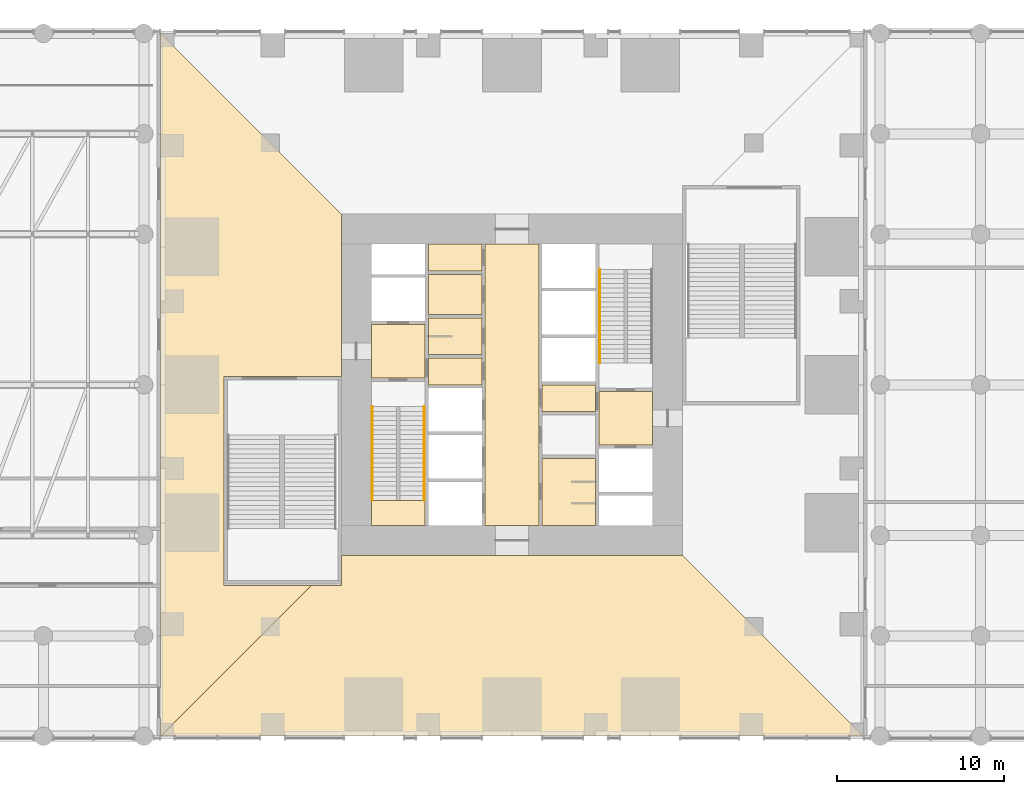
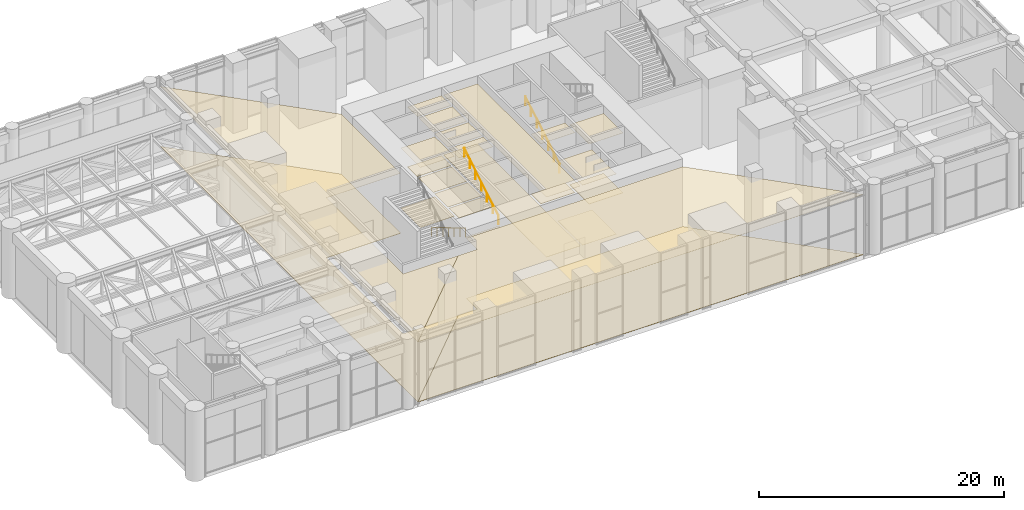
# One storey, part 28 of 30: 23 coverings, 3 railings.
"""IFC4 building model written with IfcOpenShell, lengths in metres."""

from ifc_helpers import new_model, si_unit, direction, frame, origin, origin_2d, place, context, subcontext, project, spatial, polyline, circle, outline, extrude, material, layer, layer_set, type_object, element, save


model = new_model("IFC4")

# Units and contexts
model_context = context("Model", 3, precision=1e-05, world=origin(), true_north=direction((0.0, 1.0)))
body_context = subcontext(model_context, "Body", "Model", "MODEL_VIEW")
ifc_project = project(units=[si_unit("LENGTHUNIT", "METRE"), si_unit("AREAUNIT", "SQUARE_METRE"), si_unit("VOLUMEUNIT", "CUBIC_METRE"), si_unit("PLANEANGLEUNIT", "RADIAN"), si_unit("MASSUNIT", "GRAM", prefix="KILO")], contexts=[model_context])

# Site, building, storey
site_placement = place(None, origin())
site = spatial("IfcSite", under=ifc_project, at=site_placement, CompositionType="ELEMENT")
building_placement = place(site_placement, origin())
building = spatial("IfcBuilding", under=site, at=building_placement, Name="Svetlomir Tower", CompositionType="ELEMENT")
storey_placement = place(building_placement, frame((0.0, 0.0, 11.0)))
storey = spatial("IfcBuildingStorey", under=building, at=storey_placement, Name="L02", CompositionType="ELEMENT", Elevation=11.0)

# Coverings
ifc_material_1 = material(Name="Ceramic floor tile", Category="ceramic")
ifc_layer_1 = layer(ifc_material_1, 0.014892578125)
ifc_layer_set_1 = layer_set([ifc_layer_1], Name="Ceramic floor tile")
covering_type_1 = type_object("IfcCoveringType", Name="CERAMIC TILE FLOOR 15", PredefinedType="FLOORING", material=ifc_layer_set_1)
covering_1_placement = place(storey_placement, origin())
element("IfcCovering", 1, at=covering_1_placement, inside=storey, type_object=covering_type_1, Name="Floor finish L02-04", PredefinedType="FLOORING", context=body_context, shape_type="SweptSolid", body=[
    extrude(outline(polyline([(16.0, 22.800048828125), (19.199951171875, 22.800048828125), (19.199951171875, 25.0), (16.0, 25.0), (16.0, 22.800048828125)])), origin(), (0.0, 0.0, 1.0), 0.014892578125),
])
covering_2_placement = place(storey_placement, origin())
element("IfcCovering", 2, at=covering_2_placement, inside=storey, type_object=covering_type_1, Name="Floor finish L02-05", PredefinedType="FLOORING", context=body_context, shape_type="SweptSolid", body=[
    extrude(outline(polyline([(16.0, 25.199951171875), (19.199951171875, 25.199951171875), (19.199951171875, 27.60009765625), (16.0, 27.60009765625), (16.0, 25.199951171875)])), origin(), (0.0, 0.0, 1.0), 0.014892578125),
])
covering_3_placement = place(storey_placement, origin())
element("IfcCovering", 3, at=covering_3_placement, inside=storey, type_object=covering_type_1, Name="Floor finish L02-08", PredefinedType="FLOORING", context=body_context, shape_type="SweptSolid", body=[
    extrude(outline(polyline([(22.800048828125, 12.60009765625), (26.0, 12.60009765625), (26.0, 16.60009765625), (22.800048828125, 16.60009765625), (22.800048828125, 12.60009765625)])), origin(), (0.0, 0.0, 1.0), 0.014892578125),
])

# Railings
ifc_material_2 = material(Name="Stainless steel", Category="steel")
railing_type = type_object("IfcRailingType", Name="HANDRAIL HR1 900", PredefinedType="HANDRAIL", material=ifc_material_2)
railing_placement = place(storey_placement, frame((12.64990234375, 19.699951171875, 0.166748046875)))
element("IfcRailing", 4, at=railing_placement, inside=storey, type_object=railing_type, Name="Handrail S1 flight 1 L02", PredefinedType="HANDRAIL", context=body_context, shape_type="SweptSolid", body=[
    extrude(circle(Radius=0.02392578125, at=origin_2d()), frame((0.0, 0.0, 0.8759765625), z_axis=(0.0, -0.859292492371, 0.511484518392), x_axis=(1.0, 0.0, 0.0)), (0.0, 0.0, 1.0), 6.516845703125),
    extrude(circle(Radius=0.02099609375, at=origin_2d()), origin(), (0.0, 0.0, 1.0), 0.851806640625),
    extrude(circle(Radius=0.02099609375, at=origin_2d()), frame((0.0, -0.933349609375, 0.5556640625)), (0.0, 0.0, 1.0), 0.851806640625),
    extrude(circle(Radius=0.02099609375, at=origin_2d()), frame((0.0, -1.86669921875, 1.111083984375)), (0.0, 0.0, 1.0), 0.851806640625),
    extrude(circle(Radius=0.02099609375, at=origin_2d()), frame((0.0, -2.7998046875, 1.66650390625)), (0.0, 0.0, 1.0), 0.851806640625),
    extrude(circle(Radius=0.02099609375, at=origin_2d()), frame((0.0, -3.733154296875, 2.22216796875)), (0.0, 0.0, 1.0), 0.851806640625),
    extrude(circle(Radius=0.02099609375, at=origin_2d()), frame((0.0, -4.66650390625, 2.77783203125)), (0.0, 0.0, 1.0), 0.851806640625),
    extrude(circle(Radius=0.02099609375, at=origin_2d()), frame((0.0, -5.599853515625, 3.333251953125)), (0.0, 0.0, 1.0), 0.851806640625),
])
for number, where, name in (
    (5, (15.75, 14.10009765625, 3.666748046875), "Handrail S1 flight 2 L02"),
    (6, (26.25, 22.300048828125, 0.166748046875), "Handrail S2 flight 1 L02"),
):
    element("IfcRailing", number, at=place(storey_placement, frame(where)), inside=storey, type_object=railing_type, Name=name, PredefinedType="HANDRAIL", context=body_context, shape_type="SweptSolid", body=[
        extrude(circle(Radius=0.02392578125, at=origin_2d()), frame((0.0, 0.0, 0.8759765625), z_axis=(0.0, 0.859292492371, 0.511484518392), x_axis=(-1.0, 0.0, 0.0)), (0.0, 0.0, 1.0), 6.516845703125),
        extrude(circle(Radius=0.02099609375, at=origin_2d()), origin(), (0.0, 0.0, 1.0), 0.851806640625),
        extrude(circle(Radius=0.02099609375, at=origin_2d()), frame((0.0, 0.933349609375, 0.5556640625)), (0.0, 0.0, 1.0), 0.851806640625),
        extrude(circle(Radius=0.02099609375, at=origin_2d()), frame((0.0, 1.86669921875, 1.111083984375)), (0.0, 0.0, 1.0), 0.851806640625),
        extrude(circle(Radius=0.02099609375, at=origin_2d()), frame((0.0, 2.7998046875, 1.66650390625)), (0.0, 0.0, 1.0), 0.851806640625),
        extrude(circle(Radius=0.02099609375, at=origin_2d()), frame((0.0, 3.733154296875, 2.22216796875)), (0.0, 0.0, 1.0), 0.851806640625),
        extrude(circle(Radius=0.02099609375, at=origin_2d()), frame((0.0, 4.66650390625, 2.77783203125)), (0.0, 0.0, 1.0), 0.851806640625),
        extrude(circle(Radius=0.02099609375, at=origin_2d()), frame((0.0, 5.599853515625, 3.333251953125)), (0.0, 0.0, 1.0), 0.851806640625),
    ])

# Coverings
ifc_material_3 = material(Name="Moisture resistant plasterboard ceiling", Category="gypsum")
ifc_layer_2 = layer(ifc_material_3, 0.012451171875)
ifc_layer_set_2 = layer_set([ifc_layer_2], Name="Moisture resistant plasterboard ceiling")
covering_type_2 = type_object("IfcCoveringType", Name="MOISTURE RESISTANT CEILING 12.5", PredefinedType="CEILING", material=ifc_layer_set_2)
covering_4_placement = place(storey_placement, frame((0.0, 0.0, 5.987548828125)))
element("IfcCovering", 7, at=covering_4_placement, inside=storey, type_object=covering_type_2, Name="Ceiling L02-04", PredefinedType="CEILING", context=body_context, shape_type="SweptSolid", body=[
    extrude(outline(polyline([(16.0, 22.800048828125), (19.199951171875, 22.800048828125), (19.199951171875, 25.0), (16.0, 25.0), (16.0, 22.800048828125)])), origin(), (0.0, 0.0, 1.0), 0.012451171875),
])
covering_5_placement = place(storey_placement, frame((0.0, 0.0, 5.987548828125)))
element("IfcCovering", 8, at=covering_5_placement, inside=storey, type_object=covering_type_2, Name="Ceiling L02-05", PredefinedType="CEILING", context=body_context, shape_type="SweptSolid", body=[
    extrude(outline(polyline([(16.0, 25.199951171875), (19.199951171875, 25.199951171875), (19.199951171875, 27.60009765625), (16.0, 27.60009765625), (16.0, 25.199951171875)])), origin(), (0.0, 0.0, 1.0), 0.012451171875),
])
covering_6_placement = place(storey_placement, frame((0.0, 0.0, 5.987548828125)))
element("IfcCovering", 9, at=covering_6_placement, inside=storey, type_object=covering_type_2, Name="Ceiling L02-08", PredefinedType="CEILING", context=body_context, shape_type="SweptSolid", body=[
    extrude(outline(polyline([(22.800048828125, 12.60009765625), (26.0, 12.60009765625), (26.0, 16.60009765625), (22.800048828125, 16.60009765625), (22.800048828125, 12.60009765625)])), origin(), (0.0, 0.0, 1.0), 0.012451171875),
])
ifc_material_4 = material(Name="Gypsum plasterboard ceiling", Category="gypsum")
ifc_layer_3 = layer(ifc_material_4, 0.014892578125)
ifc_layer_set_3 = layer_set([ifc_layer_3], Name="Gypsum plasterboard ceiling")
covering_type_3 = type_object("IfcCoveringType", Name="PLASTERBOARD CEILING 15", PredefinedType="CEILING", material=ifc_layer_set_3)
covering_7_placement = place(storey_placement, frame((0.0, 0.0, 5.985107421875)))
element("IfcCovering", 10, at=covering_7_placement, inside=storey, type_object=covering_type_3, Name="Ceiling L02-02", PredefinedType="CEILING", context=body_context, shape_type="SweptSolid", body=[
    extrude(outline(polyline([(12.60009765625, 21.39990234375), (15.800048828125, 21.39990234375), (15.800048828125, 24.60009765625), (12.60009765625, 24.60009765625), (12.60009765625, 21.39990234375)])), origin(), (0.0, 0.0, 1.0), 0.014892578125),
])
covering_8_placement = place(storey_placement, frame((0.0, 0.0, 5.985107421875)))
element("IfcCovering", 11, at=covering_8_placement, inside=storey, type_object=covering_type_3, Name="Ceiling L02-03", PredefinedType="CEILING", context=body_context, shape_type="SweptSolid", body=[
    extrude(outline(polyline([(16.0, 21.0), (19.199951171875, 21.0), (19.199951171875, 22.60009765625), (16.0, 22.60009765625), (16.0, 21.0)])), origin(), (0.0, 0.0, 1.0), 0.014892578125),
])
covering_9_placement = place(storey_placement, frame((0.0, 0.0, 5.985107421875)))
element("IfcCovering", 12, at=covering_9_placement, inside=storey, type_object=covering_type_3, Name="Ceiling L02-06", PredefinedType="CEILING", context=body_context, shape_type="SweptSolid", body=[
    extrude(outline(polyline([(16.0, 27.800048828125), (19.199951171875, 27.800048828125), (19.199951171875, 29.39990234375), (16.0, 29.39990234375), (16.0, 27.800048828125)])), origin(), (0.0, 0.0, 1.0), 0.014892578125),
])
covering_10_placement = place(storey_placement, frame((0.0, 0.0, 5.985107421875)))
element("IfcCovering", 13, at=covering_10_placement, inside=storey, type_object=covering_type_3, Name="Ceiling L02-07", PredefinedType="CEILING", context=body_context, shape_type="SweptSolid", body=[
    extrude(outline(polyline([(19.39990234375, 12.60009765625), (22.60009765625, 12.60009765625), (22.60009765625, 29.39990234375), (19.39990234375, 29.39990234375), (19.39990234375, 12.60009765625)])), origin(), (0.0, 0.0, 1.0), 0.014892578125),
])
covering_11_placement = place(storey_placement, frame((0.0, 0.0, 5.985107421875)))
element("IfcCovering", 14, at=covering_11_placement, inside=storey, type_object=covering_type_3, Name="Ceiling L02-10", PredefinedType="CEILING", context=body_context, shape_type="SweptSolid", body=[
    extrude(outline(polyline([(22.800048828125, 19.39990234375), (26.0, 19.39990234375), (26.0, 21.0), (22.800048828125, 21.0), (22.800048828125, 19.39990234375)])), origin(), (0.0, 0.0, 1.0), 0.014892578125),
])
covering_12_placement = place(storey_placement, frame((0.0, 0.0, 5.985107421875)))
element("IfcCovering", 15, at=covering_12_placement, inside=storey, type_object=covering_type_3, Name="Ceiling L02-11", PredefinedType="CEILING", context=body_context, shape_type="SweptSolid", body=[
    extrude(outline(polyline([(26.199951171875, 17.39990234375), (29.39990234375, 17.39990234375), (29.39990234375, 20.60009765625), (26.199951171875, 20.60009765625), (26.199951171875, 17.39990234375)])), origin(), (0.0, 0.0, 1.0), 0.014892578125),
])
covering_13_placement = place(storey_placement, frame((0.0, 0.0, 5.985107421875)))
element("IfcCovering", 16, at=covering_13_placement, inside=storey, type_object=covering_type_3, Name="Ceiling L02-24", PredefinedType="CEILING", context=body_context, shape_type="SweptSolid", body=[
    extrude(outline(polyline([(0.0, 0.0), (9.0, 9.0), (10.800048828125, 9.0), (10.800048828125, 10.800048828125), (31.199951171875, 10.800048828125), (42.0, 0.0), (0.0, 0.0)])), origin(), (0.0, 0.0, 1.0), 0.014892578125),
])
covering_14_placement = place(storey_placement, frame((0.0, 0.0, 5.985107421875)))
element("IfcCovering", 17, at=covering_14_placement, inside=storey, type_object=covering_type_3, Name="Ceiling L02-27", PredefinedType="CEILING", context=body_context, shape_type="SweptSolid", body=[
    extrude(outline(polyline([(0.0, 42.0), (10.800048828125, 31.199951171875), (10.800048828125, 21.5), (3.800048828125, 21.5), (3.800048828125, 9.0), (9.0, 9.0), (0.0, 0.0), (0.0, 42.0)])), origin(), (0.0, 0.0, 1.0), 0.014892578125),
])
ifc_material_5 = material(Name="Studded rubber floor finish", Category="rubber")
ifc_layer_4 = layer(ifc_material_5, 0.006103515625)
ifc_layer_set_4 = layer_set([ifc_layer_4], Name="Studded rubber floor finish")
covering_type_4 = type_object("IfcCoveringType", Name="RUBBER LANDING FINISH 6", PredefinedType="FLOORING", material=ifc_layer_set_4)
covering_15_placement = place(storey_placement, frame((0.0, 0.0, 3.5)))
element("IfcCovering", 18, at=covering_15_placement, inside=storey, type_object=covering_type_4, Name="Stair S1 landing finish L02", PredefinedType="FLOORING", context=body_context, shape_type="SweptSolid", body=[
    extrude(outline(polyline([(12.60009765625, 12.60009765625), (15.800048828125, 12.60009765625), (15.800048828125, 14.10009765625), (12.60009765625, 14.10009765625), (12.60009765625, 12.60009765625)])), origin(), (0.0, 0.0, 1.0), 0.006103515625),
])
ifc_material_6 = material(Name="Bronze-aggregate terrazzo", Category="stone")
ifc_layer_5 = layer(ifc_material_6, 0.030029296875)
ifc_layer_set_5 = layer_set([ifc_layer_5], Name="Bronze-aggregate terrazzo")
covering_type_5 = type_object("IfcCoveringType", Name="TERRAZZO FLOOR 30", PredefinedType="FLOORING", material=ifc_layer_set_5)
covering_16_placement = place(storey_placement, origin())
element("IfcCovering", 19, at=covering_16_placement, inside=storey, type_object=covering_type_5, Name="Floor finish L02-02", PredefinedType="FLOORING", context=body_context, shape_type="SweptSolid", body=[
    extrude(outline(polyline([(12.60009765625, 21.39990234375), (15.800048828125, 21.39990234375), (15.800048828125, 24.60009765625), (12.60009765625, 24.60009765625), (12.60009765625, 21.39990234375)])), origin(), (0.0, 0.0, 1.0), 0.030029296875),
])
covering_17_placement = place(storey_placement, origin())
element("IfcCovering", 20, at=covering_17_placement, inside=storey, type_object=covering_type_5, Name="Floor finish L02-03", PredefinedType="FLOORING", context=body_context, shape_type="SweptSolid", body=[
    extrude(outline(polyline([(16.0, 21.0), (19.199951171875, 21.0), (19.199951171875, 22.60009765625), (16.0, 22.60009765625), (16.0, 21.0)])), origin(), (0.0, 0.0, 1.0), 0.030029296875),
])
covering_18_placement = place(storey_placement, origin())
element("IfcCovering", 21, at=covering_18_placement, inside=storey, type_object=covering_type_5, Name="Floor finish L02-06", PredefinedType="FLOORING", context=body_context, shape_type="SweptSolid", body=[
    extrude(outline(polyline([(16.0, 27.800048828125), (19.199951171875, 27.800048828125), (19.199951171875, 29.39990234375), (16.0, 29.39990234375), (16.0, 27.800048828125)])), origin(), (0.0, 0.0, 1.0), 0.030029296875),
])
covering_19_placement = place(storey_placement, origin())
element("IfcCovering", 22, at=covering_19_placement, inside=storey, type_object=covering_type_5, Name="Floor finish L02-07", PredefinedType="FLOORING", context=body_context, shape_type="SweptSolid", body=[
    extrude(outline(polyline([(19.39990234375, 12.60009765625), (22.60009765625, 12.60009765625), (22.60009765625, 29.39990234375), (19.39990234375, 29.39990234375), (19.39990234375, 12.60009765625)])), origin(), (0.0, 0.0, 1.0), 0.030029296875),
])
covering_20_placement = place(storey_placement, origin())
element("IfcCovering", 23, at=covering_20_placement, inside=storey, type_object=covering_type_5, Name="Floor finish L02-10", PredefinedType="FLOORING", context=body_context, shape_type="SweptSolid", body=[
    extrude(outline(polyline([(22.800048828125, 19.39990234375), (26.0, 19.39990234375), (26.0, 21.0), (22.800048828125, 21.0), (22.800048828125, 19.39990234375)])), origin(), (0.0, 0.0, 1.0), 0.030029296875),
])
covering_21_placement = place(storey_placement, origin())
element("IfcCovering", 24, at=covering_21_placement, inside=storey, type_object=covering_type_5, Name="Floor finish L02-11", PredefinedType="FLOORING", context=body_context, shape_type="SweptSolid", body=[
    extrude(outline(polyline([(26.199951171875, 17.39990234375), (29.39990234375, 17.39990234375), (29.39990234375, 20.60009765625), (26.199951171875, 20.60009765625), (26.199951171875, 17.39990234375)])), origin(), (0.0, 0.0, 1.0), 0.030029296875),
])
covering_22_placement = place(storey_placement, origin())
element("IfcCovering", 25, at=covering_22_placement, inside=storey, type_object=covering_type_5, Name="Floor finish L02-24", PredefinedType="FLOORING", context=body_context, shape_type="SweptSolid", body=[
    extrude(outline(polyline([(0.0, 0.0), (9.0, 9.0), (10.800048828125, 9.0), (10.800048828125, 10.800048828125), (31.199951171875, 10.800048828125), (42.0, 0.0), (0.0, 0.0)])), origin(), (0.0, 0.0, 1.0), 0.030029296875),
])
covering_23_placement = place(storey_placement, origin())
element("IfcCovering", 26, at=covering_23_placement, inside=storey, type_object=covering_type_5, Name="Floor finish L02-27", PredefinedType="FLOORING", context=body_context, shape_type="SweptSolid", body=[
    extrude(outline(polyline([(0.0, 42.0), (10.800048828125, 31.199951171875), (10.800048828125, 21.5), (3.800048828125, 21.5), (3.800048828125, 9.0), (9.0, 9.0), (0.0, 0.0), (0.0, 42.0)])), origin(), (0.0, 0.0, 1.0), 0.030029296875),
])

save(model, "model.ifc")
